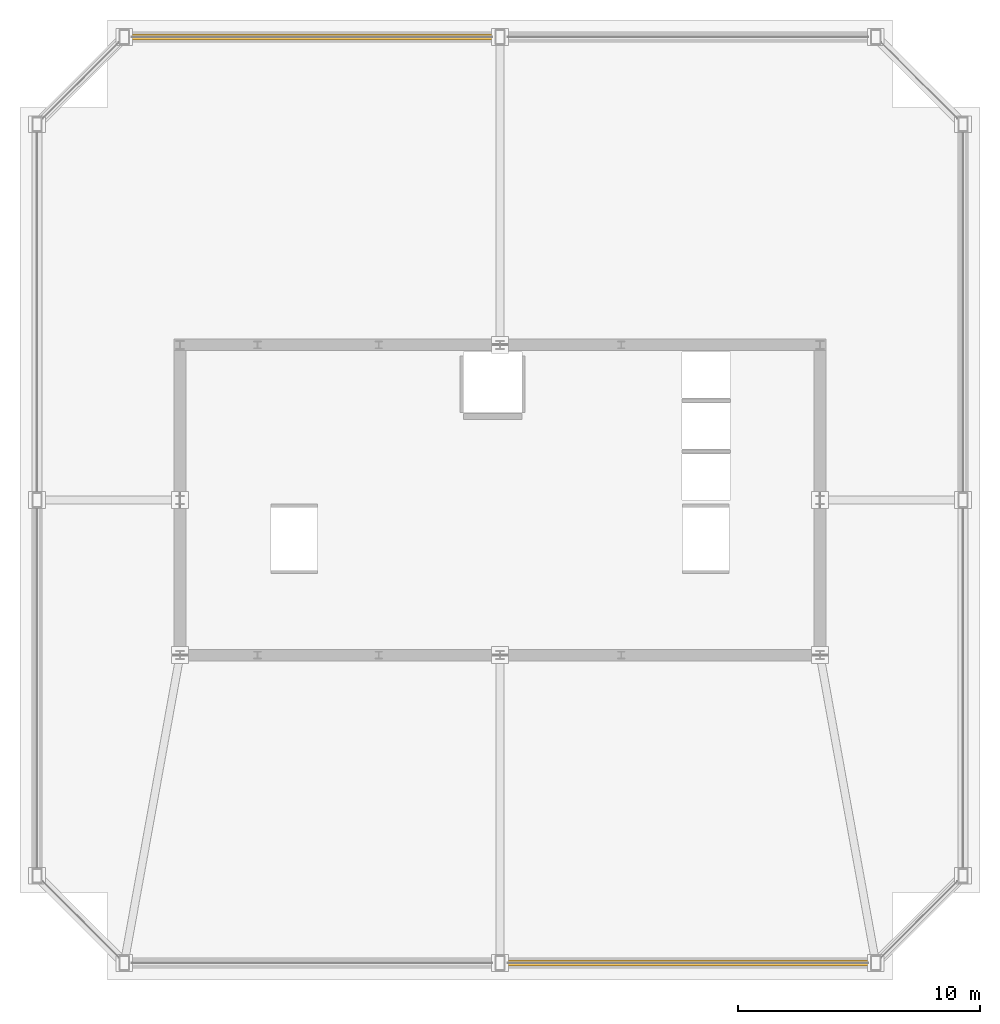
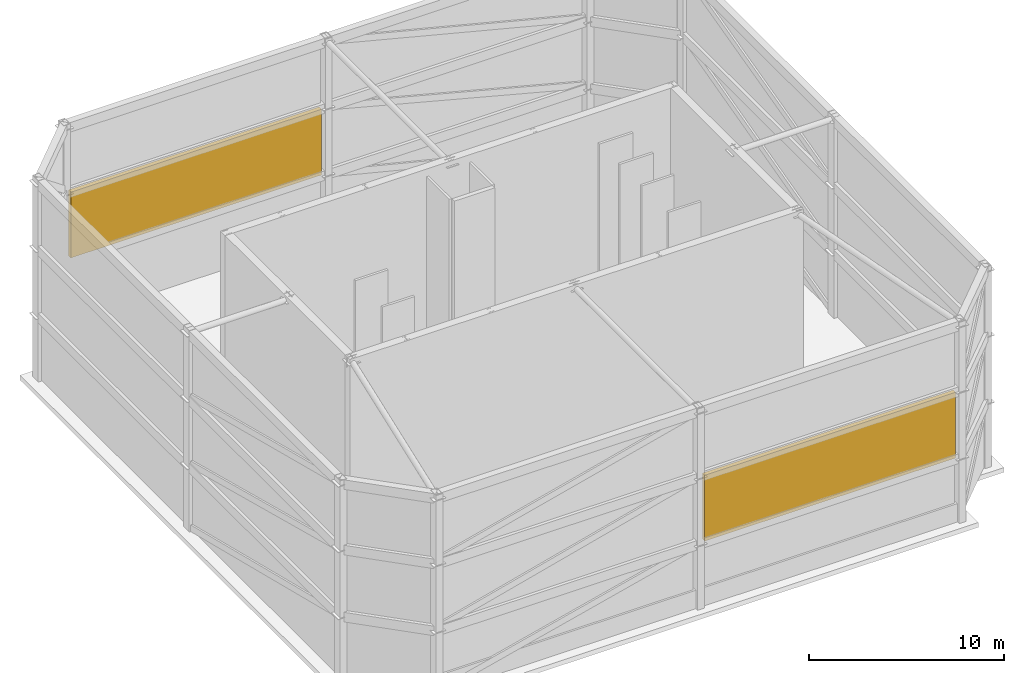
# One storey, part 6 of 6: 2 shading devices.
"""IFC4 building model written with IfcOpenShell, lengths in metres."""

import ifcopenshell
import ifcopenshell.guid

model = None  # the IFC model being written
_history = None  # IfcOwnerHistory: only IFC2X3 demands one
_inside = {}  # id of a spatial element -> (the spatial element, [elements in it])
_under = {}  # id of a project, library or spatial element -> (it, [spatial elements below it])
_declared = {}  # id of a project -> (the project, [libraries it declares])
_typed = {}  # id of a type object -> (the type object, [elements of that type])
_made_of = {}  # id of a material, layer set ... -> (it, [elements and type objects made of it])


def new_model(schema):
    """Start an empty IFC model of exactly this schema.

    Asked for "IFC4X3", IfcOpenShell would pick the latest addendum, in which some entities
    have other attributes; the version numbers below select the first issue.
    IFC2X3 requires an IfcOwnerHistory on every rooted entity: one is made here for all.
    """
    global model, _history
    if schema == "IFC4X3":
        model = ifcopenshell.file(schema_version=(4, 3, 0, 0))
    else:
        model = ifcopenshell.file(schema=schema)
    _inside.clear()
    _under.clear()
    _declared.clear()
    _typed.clear()
    _made_of.clear()
    _history = None
    if model.schema == "IFC2X3":
        org = make("IfcOrganization", Name="unknown")
        user = make(
            "IfcPersonAndOrganization",
            ThePerson=make("IfcPerson", FamilyName="unknown"),
            TheOrganization=org,
        )
        app = make(
            "IfcApplication",
            ApplicationDeveloper=org,
            Version="unknown",
            ApplicationFullName="unknown",
            ApplicationIdentifier="unknown",
        )
        _history = make(
            "IfcOwnerHistory",
            OwningUser=user,
            OwningApplication=app,
            ChangeAction="ADDED",
            CreationDate=0,
        )
    return model


def make(cls, **values):
    """One entity of the class cls with the attributes given. An attribute that is None is left unset."""
    return model.create_entity(
        cls, **{name: value for name, value in values.items() if value is not None}
    )


def rooted(cls, **values):
    """An entity with a GlobalId (a new one), such as an element, a storey or a relation."""
    return make(cls, GlobalId=ifcopenshell.guid.new(), OwnerHistory=_history, **values)


def si_unit(unit_type, name, prefix=None):
    """IfcSIUnit, for example si_unit("LENGTHUNIT", "METRE", prefix="MILLI")."""
    return make("IfcSIUnit", UnitType=unit_type, Prefix=prefix, Name=name)


def assignment(units):
    """IfcUnitAssignment: the units of a project."""
    return None if units is None else make("IfcUnitAssignment", Units=units)


def point(xyz):
    """IfcCartesianPoint."""
    return None if xyz is None else make("IfcCartesianPoint", Coordinates=xyz)


def direction(xyz):
    """IfcDirection."""
    return None if xyz is None else make("IfcDirection", DirectionRatios=xyz)


def frame(location, z_axis=None, x_axis=None):
    """IfcAxis2Placement3D, a coordinate frame: its origin and axes. An axis left out is left unset."""
    return make(
        "IfcAxis2Placement3D",
        Location=point(location),
        Axis=direction(z_axis),
        RefDirection=direction(x_axis),
    )


def frame_2d(location, x_axis=None):
    """IfcAxis2Placement2D, a coordinate frame in the plane: its origin and x axis."""
    return make(
        "IfcAxis2Placement2D", Location=point(location), RefDirection=direction(x_axis)
    )


def origin():
    """The frame at (0, 0, 0) with its axes left unset."""
    return frame((0.0, 0.0, 0.0))


def origin_2d():
    """The frame at (0, 0) in the plane with its x axis left unset."""
    return frame_2d((0.0, 0.0))


def place(relative_to, where):
    """IfcLocalPlacement: puts the frame where relative to a parent placement (None: the world)."""
    return make(
        "IfcLocalPlacement", PlacementRelTo=relative_to, RelativePlacement=where
    )


def context(
    kind, dimensions, precision=None, world=None, true_north=None, identifier=None
):
    """IfcGeometricRepresentationContext, for example the 3D "Model" context."""
    return make(
        "IfcGeometricRepresentationContext",
        ContextIdentifier=identifier,
        ContextType=kind,
        CoordinateSpaceDimension=dimensions,
        Precision=precision,
        WorldCoordinateSystem=world,
        TrueNorth=true_north,
    )


def subcontext(parent, identifier, kind, view, scale=None):
    """IfcGeometricRepresentationSubContext, for example "Body" below "Model"."""
    return make(
        "IfcGeometricRepresentationSubContext",
        ContextIdentifier=identifier,
        ContextType=kind,
        ParentContext=parent,
        TargetScale=scale,
        TargetView=view,
    )


def project(units=None, contexts=None):
    """IfcProject with its units and contexts."""
    return rooted(
        "IfcProject",
        Name="project",
        RepresentationContexts=contexts,
        UnitsInContext=assignment(units),
    )


def spatial(cls, under=None, at=None, **own):
    """A site, building, storey or space (cls), placed at a placement, below another one or the project."""
    s = rooted(cls, ObjectPlacement=at, **own)
    if under is not None:
        _under.setdefault(under.id(), (under, []))[1].append(s)
    return s


def profile(cls, at=None, kind="AREA", **sizes):
    """A parametric profile (cls). Its sizes go by their IFC names, for example OverallWidth=200.0."""
    return make(cls, ProfileType=kind, Position=at, **sizes)


def rectangle(**sizes):
    """IfcRectangleProfileDef."""
    return profile("IfcRectangleProfileDef", **sizes)


def extrude(swept, where, along, depth):
    """IfcExtrudedAreaSolid: the profile swept, set in the frame where, extruded along a direction by depth."""
    return make(
        "IfcExtrudedAreaSolid",
        SweptArea=swept,
        Position=where,
        ExtrudedDirection=direction(along),
        Depth=depth,
    )


def shape(context_of_items, identifier, shape_type, items):
    """IfcShapeRepresentation: the items that make up one representation, for example the "Body"."""
    return make(
        "IfcShapeRepresentation",
        ContextOfItems=context_of_items,
        RepresentationIdentifier=identifier,
        RepresentationType=shape_type,
        Items=items,
    )


def source(mapping_origin, context_of_items, identifier, shape_type, items):
    """IfcRepresentationMap: a shape defined once, which mapped items show again and again."""
    return make(
        "IfcRepresentationMap",
        MappingOrigin=mapping_origin,
        MappedRepresentation=shape(context_of_items, identifier, shape_type, items),
    )


def transform(
    local_origin,
    x_axis=None,
    y_axis=None,
    z_axis=None,
    scale=None,
    scale2=None,
    scale3=None,
    uniform=True,
):
    """IfcCartesianTransformationOperator3D, or its non-uniform kind. x_axis, y_axis, z_axis: its Axis1, 2, 3."""
    if uniform:
        return make(
            "IfcCartesianTransformationOperator3D",
            Axis1=direction(x_axis),
            Axis2=direction(y_axis),
            LocalOrigin=point(local_origin),
            Scale=scale,
            Axis3=direction(z_axis),
        )
    return make(
        "IfcCartesianTransformationOperator3DnonUniform",
        Axis1=direction(x_axis),
        Axis2=direction(y_axis),
        LocalOrigin=point(local_origin),
        Scale=scale,
        Axis3=direction(z_axis),
        Scale2=scale2,
        Scale3=scale3,
    )


def mapped(mapping_source, mapping_target):
    """IfcMappedItem: shows the shape of a source again, moved by a transform."""
    return make(
        "IfcMappedItem", MappingSource=mapping_source, MappingTarget=mapping_target
    )


def material(Name=None, Category=None):
    """IfcMaterial."""
    return make("IfcMaterial", Name=Name, Category=Category)


def layer(
    of_material, thickness, ventilated=None, Name=None, Category=None, Priority=None
):
    """IfcMaterialLayer: one layer of a wall or slab, of a material (None: an air gap)."""
    return make(
        "IfcMaterialLayer",
        Material=of_material,
        LayerThickness=thickness,
        IsVentilated=ventilated,
        Name=Name,
        Category=Category,
        Priority=Priority,
    )


def layer_set(layers, Name=None):
    """IfcMaterialLayerSet."""
    return make("IfcMaterialLayerSet", MaterialLayers=layers, LayerSetName=Name)


def made_of(thing, what):
    """Note that an element or type object is made of a material, layer set ...; save() writes the relation."""
    if what is not None:
        _made_of.setdefault(what.id(), (what, []))[1].append(thing)
    return thing


def type_object(cls, material=None, **own):
    """A type object (cls), such as IfcWallType, which elements share."""
    return made_of(rooted(cls, **own), material)


def element(
    cls,
    number,
    at=None,
    inside=None,
    cuts=None,
    type_object=None,
    material=None,
    context=None,
    identifier="Body",
    shape_type=None,
    held_by="IfcProductDefinitionShape",
    body=None,
    shapes=None,
    **own,
):
    """One element of the class cls, such as IfcWall. Its Tag is "e" and its number.

    at: its placement. inside: the storey or other place that contains it. cuts: it is an
    opening in that element (IfcRelVoidsElement). A single representation is given by context,
    identifier, shape_type and body (its items); several are given by shapes. held_by: the class
    of the entity that holds the representations. save() writes the other relations.
    """
    e = rooted(cls, Tag="e%d" % number, ObjectPlacement=at, **own)
    if body is not None:
        shapes = [shape(context, identifier, shape_type, body)]
    if shapes is not None:
        e.Representation = make(held_by, Representations=shapes)
    if inside is not None:
        _inside.setdefault(inside.id(), (inside, []))[1].append(e)
    if cuts is not None:
        rooted(
            "IfcRelVoidsElement", RelatingBuildingElement=cuts, RelatedOpeningElement=e
        )
    if type_object is not None:
        _typed.setdefault(type_object.id(), (type_object, []))[1].append(e)
    return made_of(e, material)


def aggregate(whole, parts):
    """IfcRelAggregates: a whole, such as a stair, and the parts it consists of."""
    return rooted("IfcRelAggregates", RelatingObject=whole, RelatedObjects=parts)


def save(model, path):
    """Write the relations noted so far, then the file.

    IfcRelAggregates (storeys below a building ...), IfcRelContainedInSpatialStructure (elements
    in a storey), IfcRelDefinesByType, IfcRelAssociatesMaterial and IfcRelDeclares: one each for
    every whole, place, type object, material and project.
    """
    for whole, parts in _under.values():
        aggregate(whole, parts)
    for where, things in _inside.values():
        rooted(
            "IfcRelContainedInSpatialStructure",
            RelatedElements=things,
            RelatingStructure=where,
        )
    for kind, things in _typed.values():
        rooted("IfcRelDefinesByType", RelatedObjects=things, RelatingType=kind)
    for what, things in _made_of.values():
        rooted("IfcRelAssociatesMaterial", RelatedObjects=things, RelatingMaterial=what)
    for by, libraries in _declared.values():
        rooted("IfcRelDeclares", RelatingContext=by, RelatedDefinitions=libraries)
    model.write(path)


model = new_model("IFC4")

# Units and contexts
model_context = context("Model", 3, precision=1e-05, world=origin(), true_north=direction((0.0, 1.0)))
body_context = subcontext(model_context, "Body", "Model", "MODEL_VIEW")
ifc_project = project(units=[si_unit("LENGTHUNIT", "METRE"), si_unit("AREAUNIT", "SQUARE_METRE"), si_unit("VOLUMEUNIT", "CUBIC_METRE"), si_unit("PLANEANGLEUNIT", "RADIAN"), si_unit("MASSUNIT", "GRAM", prefix="KILO"), si_unit("THERMODYNAMICTEMPERATUREUNIT", "KELVIN"), si_unit("POWERUNIT", "WATT")], contexts=[model_context])

# Site, building, storey
site_placement = place(None, origin())
site = spatial("IfcSite", under=ifc_project, at=site_placement, CompositionType="ELEMENT")
building_placement = place(site_placement, origin())
building = spatial("IfcBuilding", under=site, at=building_placement, Name="Yuzanri Waterfront Tower", CompositionType="ELEMENT")
storey_placement = place(building_placement, frame((0.0, 0.0, 351.199951171875)))
storey = spatial("IfcBuildingStorey", under=building, at=storey_placement, Name="L94", CompositionType="ELEMENT", Elevation=351.199951171875)

# Shading devices
ifc_material = material(Name="Anodized Architectural Bronze", Category="metal")
ifc_layer = layer(ifc_material, 0.239990234375)
ifc_layer_set = layer_set([ifc_layer], Name="Anodized Architectural Bronze")
shading_device_type = type_object("IfcShadingDeviceType", Name="Anodized Bronze Crown Acoustic Louvre Screen 240", PredefinedType="USERDEFINED", material=ifc_layer_set)
shared_shape = source(origin(), body_context, "Body", "SweptSolid", [
    extrude(rectangle(XDim=14.860107421875, YDim=0.239990234375, at=origin_2d()), origin(), (0.0, 0.0, 1.0), 4.1201171875),
])
for number, where, z_axis, x_axis, name in (
    (1, (44.75, 6.699951171875, 4.0400390625), (0.0, 0.0, 1.0), (1.0, 0.0, 0.0), "L94 Crown Acoustic Louvre Tier 2 CS2"),
    (2, (29.25, 44.89990234375, 4.0400390625), (0.0, 0.0, 1.0), (1.0, 0.0, 0.0), "L94 Crown Acoustic Louvre Tier 2 CN2"),
):
    element("IfcShadingDevice", number, at=place(storey_placement, frame(where, z_axis=z_axis, x_axis=x_axis)), inside=storey, type_object=shading_device_type, Name=name, ObjectType="LOUVRE", PredefinedType="USERDEFINED", context=body_context, shape_type="MappedRepresentation", body=[
        mapped(shared_shape, transform((0.0, 0.0, 0.0), scale=1.0)),
    ])

save(model, "model.ifc")
